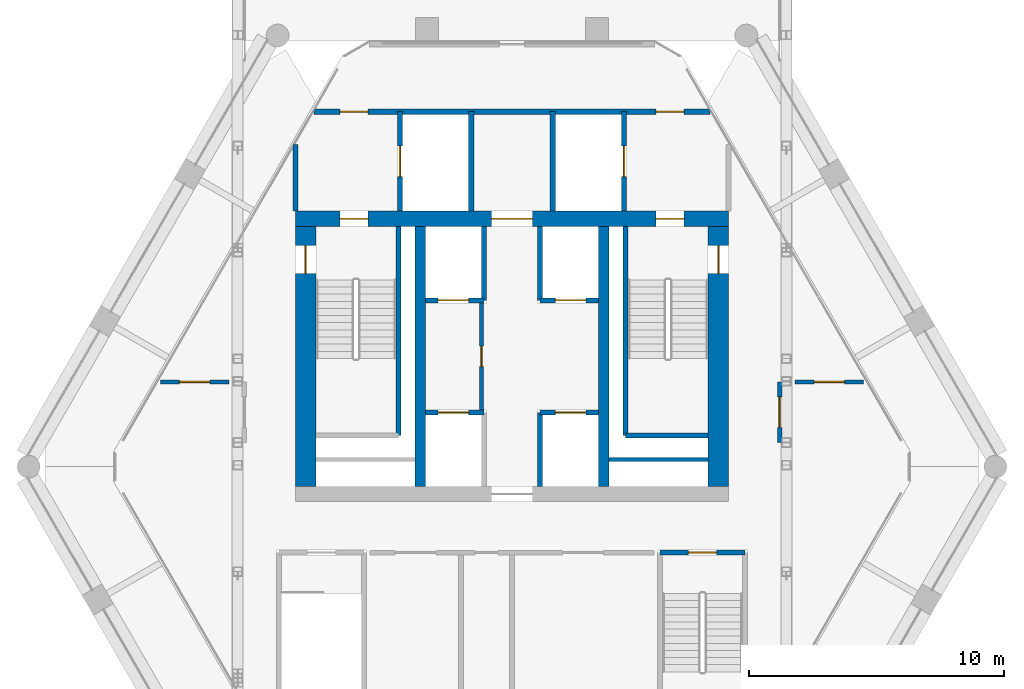
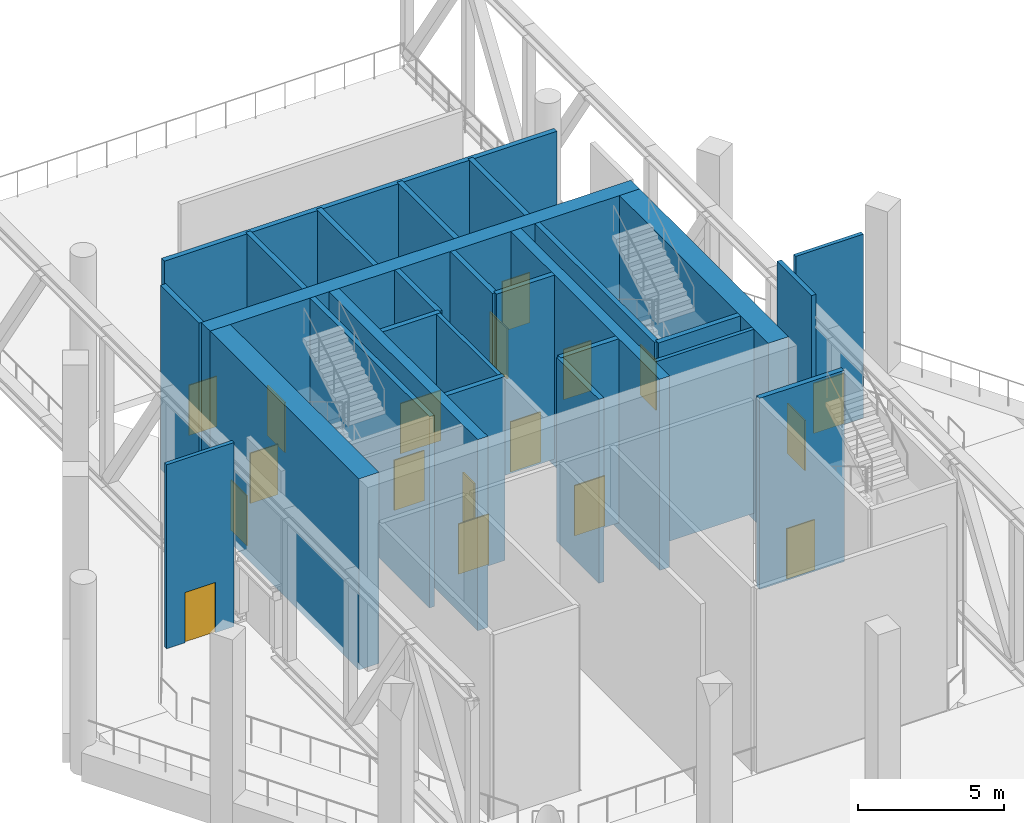
# One storey, part 6 of 14: 27 walls, 18 doors, 18 openings.
"""IFC4 building model written with IfcOpenShell, lengths in metres."""

from ifc_helpers import new_model, si_unit, direction, frame, frame_2d, origin, place, context, subcontext, project, spatial, rectangle, extrude, material, layer, layer_set, type_object, element, fill, save


model = new_model("IFC4")

# Units and contexts
model_context = context("Model", 3, precision=1e-05, world=origin(), true_north=direction((0.0, 1.0)))
body_context = subcontext(model_context, "Body", "Model", "MODEL_VIEW")
ifc_project = project(units=[si_unit("LENGTHUNIT", "METRE"), si_unit("AREAUNIT", "SQUARE_METRE"), si_unit("VOLUMEUNIT", "CUBIC_METRE"), si_unit("PLANEANGLEUNIT", "RADIAN"), si_unit("MASSUNIT", "GRAM", prefix="KILO")], contexts=[model_context])

# Site, building, storey
site_placement = place(None, origin())
site = spatial("IfcSite", under=ifc_project, at=site_placement, CompositionType="ELEMENT")
building_placement = place(site_placement, origin())
building = spatial("IfcBuilding", under=site, at=building_placement, Name="Ostrander Bayou Hotel Tower", CompositionType="ELEMENT")
storey_placement = place(building_placement, frame((0.0, 0.0, 237.0)))
storey = spatial("IfcBuildingStorey", under=building, at=storey_placement, Name="L59", CompositionType="ELEMENT", Elevation=237.0)

# Wall, openings, doors
ifc_material_1 = material(Name="Concrete f'c 60 MPa", Category="concrete")
ifc_layer_1 = layer(ifc_material_1, 0.60009765625)
ifc_layer_set_1 = layer_set([ifc_layer_1], Name="CW10 core wall 600 mm f'c 60 MPa")
wall_type_1 = type_object("IfcWallType", Name="CW10 core wall 600 mm f'c 60 MPa", PredefinedType="SHEAR", material=ifc_layer_set_1)
wall_1_placement = place(storey_placement, frame((-8.5, 9.39990234375, -0.300048828125), z_axis=(0.0, 0.0, 1.0), x_axis=(1.0, 0.0, 0.0)))
wall_1 = element("IfcWall", 1, at=wall_1_placement, inside=storey, type_object=wall_type_1, Name="CW10 L59 N", PredefinedType="SHEAR", context=body_context, shape_type="SweptSolid", body=[
    extrude(rectangle(XDim=17.0, YDim=0.60009765625, at=frame_2d((8.5, 0.0))), origin(), (0.0, 0.0, 1.0), 8.0),
])
opening_1_placement = place(wall_1_placement, frame((7.699951171875, 0.0, 0.0)))
opening_1 = element("IfcOpeningElement", 2, at=opening_1_placement, cuts=wall_1, Name="Opening T59-006", PredefinedType="OPENING", context=body_context, shape_type="SweptSolid", body=[
    extrude(rectangle(XDim=1.60009765625, YDim=2.10009765625, at=frame_2d((0.800048828125, 1.050048828125))), frame((0.0, 0.300048828125, 0.0), z_axis=(0.0, -1.0, 0.0), x_axis=(1.0, 0.0, 0.0)), (0.0, 0.0, 1.0), 0.60009765625),
])
opening_2_placement = place(wall_1_placement, frame((1.75, 0.0, 0.0)))
opening_2 = element("IfcOpeningElement", 3, at=opening_2_placement, cuts=wall_1, Name="Opening T59-007", PredefinedType="OPENING", context=body_context, shape_type="SweptSolid", body=[
    extrude(rectangle(XDim=1.10009765625, YDim=2.10009765625, at=frame_2d((0.550048828125, 1.050048828125))), frame((0.0, 0.300048828125, 0.0), z_axis=(0.0, -1.0, 0.0), x_axis=(1.0, 0.0, 0.0)), (0.0, 0.0, 1.0), 0.60009765625),
])
opening_3_placement = place(wall_1_placement, frame((14.14990234375, 0.0, 0.0)))
opening_3 = element("IfcOpeningElement", 4, at=opening_3_placement, cuts=wall_1, Name="Opening T59-009", PredefinedType="OPENING", context=body_context, shape_type="SweptSolid", body=[
    extrude(rectangle(XDim=1.10009765625, YDim=2.10009765625, at=frame_2d((0.550048828125, 1.050048828125))), frame((0.0, 0.300048828125, 0.0), z_axis=(0.0, -1.0, 0.0), x_axis=(1.0, 0.0, 0.0)), (0.0, 0.0, 1.0), 0.60009765625),
])
ifc_material_2 = material(Name="Timber door leaf", Category="wood")
door_type_1 = type_object("IfcDoorType", Name="D13 double door 1600 x 2100 mm, 1 hour", OperationType="SINGLE_SWING_LEFT", PredefinedType="DOOR", material=ifc_material_2)
door_1_placement = place(opening_1_placement, origin())
door_1 = element("IfcDoor", 5, at=door_1_placement, inside=storey, type_object=door_type_1, Name="dr:L59:006", OperationType="DOUBLE_DOOR_SINGLE_SWING", OverallHeight=2.10009765625, OverallWidth=1.60009765625, PredefinedType="DOOR", context=body_context, shape_type="SweptSolid", body=[
    extrude(rectangle(XDim=1.60009765625, YDim=2.10009765625, at=frame_2d((0.800048828125, 1.050048828125))), frame((0.0, 0.02490234375, 0.0), z_axis=(0.0, -1.0, 0.0), x_axis=(1.0, 0.0, 0.0)), (0.0, 0.0, 1.0), 0.050048828125),
])
fill(opening_1, door_1)
ifc_material_3 = material(Name="Timber door leaf", Category="wood")
door_type_2 = type_object("IfcDoorType", Name="D5 stair door 1100 x 2100 mm, 90 minute", OperationType="SINGLE_SWING_LEFT", PredefinedType="DOOR", material=ifc_material_3)
door_2_placement = place(opening_2_placement, origin())
door_2 = element("IfcDoor", 6, at=door_2_placement, inside=storey, type_object=door_type_2, Name="dr:L59:007", OperationType="SINGLE_SWING_LEFT", OverallHeight=2.10009765625, OverallWidth=1.10009765625, PredefinedType="DOOR", context=body_context, shape_type="SweptSolid", body=[
    extrude(rectangle(XDim=1.10009765625, YDim=2.10009765625, at=frame_2d((0.550048828125, 1.050048828125))), frame((0.0, 0.02490234375, 0.0), z_axis=(0.0, -1.0, 0.0), x_axis=(1.0, 0.0, 0.0)), (0.0, 0.0, 1.0), 0.050048828125),
])
fill(opening_2, door_2)
door_3_placement = place(opening_3_placement, origin())
door_3 = element("IfcDoor", 7, at=door_3_placement, inside=storey, type_object=door_type_2, Name="dr:L59:009", OperationType="SINGLE_SWING_RIGHT", OverallHeight=2.10009765625, OverallWidth=1.10009765625, PredefinedType="DOOR", context=body_context, shape_type="SweptSolid", body=[
    extrude(rectangle(XDim=1.10009765625, YDim=2.10009765625, at=frame_2d((0.550048828125, 1.050048828125))), frame((0.0, 0.02490234375, 0.0), z_axis=(0.0, -1.0, 0.0), x_axis=(1.0, 0.0, 0.0)), (0.0, 0.0, 1.0), 0.050048828125),
])
fill(opening_3, door_3)

# Wall, opening, door
ifc_material_4 = material(Name="Concrete f'c 60 MPa", Category="concrete")
ifc_layer_2 = layer(ifc_material_4, 0.800048828125)
ifc_layer_set_2 = layer_set([ifc_layer_2], Name="CW11 core spine wall 800 mm f'c 60 MPa")
wall_type_2 = type_object("IfcWallType", Name="CW11 core spine wall 800 mm f'c 60 MPa", PredefinedType="SHEAR", material=ifc_layer_set_2)
wall_2_placement = place(storey_placement, frame((-8.10009765625, -1.10009765625, -0.300048828125), z_axis=(0.0, 0.0, 1.0), x_axis=(0.0, 1.0, 0.0)))
wall_2 = element("IfcWall", 8, at=wall_2_placement, inside=storey, type_object=wall_type_2, Name="CW11 L59 W", PredefinedType="SHEAR", context=body_context, shape_type="SweptSolid", body=[
    extrude(rectangle(XDim=10.2001953125, YDim=0.800048828125, at=frame_2d((5.10009765625, 0.0))), origin(), (0.0, 0.0, 1.0), 8.0),
])
opening_4_placement = place(wall_2_placement, frame((8.35009765625, 0.0, 0.0)))
opening_4 = element("IfcOpeningElement", 9, at=opening_4_placement, cuts=wall_2, Name="Opening T59-008", PredefinedType="OPENING", context=body_context, shape_type="SweptSolid", body=[
    extrude(rectangle(XDim=1.10009765625, YDim=2.10009765625, at=frame_2d((0.550048828125, 1.050048828125))), frame((0.0, 0.39990234375, 0.0), z_axis=(0.0, -1.0, 0.0), x_axis=(1.0, 0.0, 0.0)), (0.0, 0.0, 1.0), 0.800048828125),
])
door_4_placement = place(opening_4_placement, origin())
door_4 = element("IfcDoor", 10, at=door_4_placement, inside=storey, type_object=door_type_2, Name="dr:L59:008", OperationType="SINGLE_SWING_RIGHT", OverallHeight=2.10009765625, OverallWidth=1.10009765625, PredefinedType="DOOR", context=body_context, shape_type="SweptSolid", body=[
    extrude(rectangle(XDim=1.10009765625, YDim=2.10009765625, at=frame_2d((0.550048828125, 1.050048828125))), frame((0.0, 0.02490234375, 0.0), z_axis=(0.0, -1.0, 0.0), x_axis=(1.0, 0.0, 0.0)), (0.0, 0.0, 1.0), 0.050048828125),
])
fill(opening_4, door_4)

wall_3_placement = place(storey_placement, frame((8.10009765625, -1.10009765625, -0.300048828125), z_axis=(0.0, 0.0, 1.0), x_axis=(0.0, 1.0, 0.0)))
wall_3 = element("IfcWall", 11, at=wall_3_placement, inside=storey, type_object=wall_type_2, Name="CW11 L59 E", PredefinedType="SHEAR", context=body_context, shape_type="SweptSolid", body=[
    extrude(rectangle(XDim=10.2001953125, YDim=0.800048828125, at=frame_2d((5.10009765625, 0.0))), origin(), (0.0, 0.0, 1.0), 8.0),
])
opening_5_placement = place(wall_3_placement, frame((8.35009765625, 0.0, 0.0)))
opening_5 = element("IfcOpeningElement", 12, at=opening_5_placement, cuts=wall_3, Name="Opening T59-010", PredefinedType="OPENING", context=body_context, shape_type="SweptSolid", body=[
    extrude(rectangle(XDim=1.10009765625, YDim=2.10009765625, at=frame_2d((0.550048828125, 1.050048828125))), frame((0.0, 0.39990234375, 0.0), z_axis=(0.0, -1.0, 0.0), x_axis=(1.0, 0.0, 0.0)), (0.0, 0.0, 1.0), 0.800048828125),
])
door_5_placement = place(opening_5_placement, origin())
door_5 = element("IfcDoor", 13, at=door_5_placement, inside=storey, type_object=door_type_2, Name="dr:L59:010", OperationType="SINGLE_SWING_LEFT", OverallHeight=2.10009765625, OverallWidth=1.10009765625, PredefinedType="DOOR", context=body_context, shape_type="SweptSolid", body=[
    extrude(rectangle(XDim=1.10009765625, YDim=2.10009765625, at=frame_2d((0.550048828125, 1.050048828125))), frame((0.0, 0.02490234375, 0.0), z_axis=(0.0, -1.0, 0.0), x_axis=(1.0, 0.0, 0.0)), (0.0, 0.0, 1.0), 0.050048828125),
])
fill(opening_5, door_5)

# Walls
ifc_material_5 = material(Name="Concrete f'c 60 MPa", Category="concrete")
ifc_layer_3 = layer(ifc_material_5, 0.39990234375)
ifc_layer_set_3 = layer_set([ifc_layer_3], Name="CW12 core bank wall 400 mm f'c 60 MPa")
wall_type_3 = type_object("IfcWallType", Name="CW12 core bank wall 400 mm f'c 60 MPa", PredefinedType="SHEAR", material=ifc_layer_set_3)
for number, where, z_axis, x_axis, name in (
    (14, (-3.60009765625, -1.10009765625, -0.300048828125), (0.0, 0.0, 1.0), (0.0, 1.0, 0.0), "CW12 L59 CW"),
    (15, (3.60009765625, -1.10009765625, -0.300048828125), (0.0, 0.0, 1.0), (0.0, 1.0, 0.0), "CW12 L59 CE"),
):
    element("IfcWall", number, at=place(storey_placement, frame(where, z_axis=z_axis, x_axis=x_axis)), inside=storey, type_object=wall_type_3, Name=name, PredefinedType="SHEAR", context=body_context, shape_type="SweptSolid", body=[
        extrude(rectangle(XDim=10.2001953125, YDim=0.39990234375, at=frame_2d((5.10009765625, 0.0))), origin(), (0.0, 0.0, 1.0), 8.0),
    ])

# Wall, opening, door
ifc_material_6 = material(Name="Gypsum board partition", Category="finish")
ifc_layer_4 = layer(ifc_material_6, 0.175048828125)
ifc_layer_set_4 = layer_set([ifc_layer_4], Name="PT4 corridor wall 175 mm, 1 hour")
wall_type_4 = type_object("IfcWallType", Name="PT4 corridor wall 175 mm, 1 hour", PredefinedType="PARTITIONING", material=ifc_layer_set_4)
wall_4_placement = place(storey_placement, frame((10.5, 0.621337890625, 0.0), z_axis=(0.0, 0.0, 1.0), x_axis=(0.0, 1.0, 0.0)))
wall_4 = element("IfcWall", 16, at=wall_4_placement, inside=storey, type_object=wall_type_4, Name="sw:L59:003", PredefinedType="PARTITIONING", context=body_context, shape_type="SweptSolid", body=[
    extrude(rectangle(XDim=2.378662109375, YDim=0.175048828125, at=frame_2d((1.189453125, 0.0))), origin(), (0.0, 0.0, 1.0), 7.699951171875),
])
opening_6_placement = place(wall_4_placement, frame((0.58935546875, 0.0, 0.0)))
opening_6 = element("IfcOpeningElement", 17, at=opening_6_placement, cuts=wall_4, Name="Opening T59-205", PredefinedType="OPENING", context=body_context, shape_type="SweptSolid", body=[
    extrude(rectangle(XDim=1.199951171875, YDim=2.10009765625, at=frame_2d((0.60009765625, 1.050048828125))), frame((0.0, 0.08740234375, 0.0), z_axis=(0.0, -1.0, 0.0), x_axis=(1.0, 0.0, 0.0)), (0.0, 0.0, 1.0), 0.175048828125),
])
ifc_material_7 = material(Name="Timber door leaf", Category="wood")
door_type_3 = type_object("IfcDoorType", Name="D10 plant room door 1200 x 2100 mm, 1 hour", OperationType="SINGLE_SWING_LEFT", PredefinedType="DOOR", material=ifc_material_7)
door_6_placement = place(opening_6_placement, origin())
door_6 = element("IfcDoor", 18, at=door_6_placement, inside=storey, type_object=door_type_3, Name="dr:L59:205", OperationType="SINGLE_SWING_LEFT", OverallHeight=2.10009765625, OverallWidth=1.199951171875, PredefinedType="DOOR", context=body_context, shape_type="SweptSolid", body=[
    extrude(rectangle(XDim=1.199951171875, YDim=2.10009765625, at=frame_2d((0.60009765625, 1.050048828125))), frame((0.0, 0.02490234375, 0.0), z_axis=(0.0, -1.0, 0.0), x_axis=(1.0, 0.0, 0.0)), (0.0, 0.0, 1.0), 0.050048828125),
])
fill(opening_6, door_6)

# Wall, openings, doors
ifc_material_8 = material(Name="Masonry block", Category="masonry")
ifc_layer_5 = layer(ifc_material_8, 0.199951171875)
ifc_layer_set_5 = layer_set([ifc_layer_5], Name="PT5 stair enclosure wall 200 mm masonry, 2 hour")
wall_type_5 = type_object("IfcWallType", Name="PT5 stair enclosure wall 200 mm masonry, 2 hour", PredefinedType="PARTITIONING", material=ifc_layer_set_5)
wall_5_placement = place(storey_placement, frame((-7.7626953125, 13.60009765625, 0.0), z_axis=(0.0, 0.0, 1.0), x_axis=(1.0, 0.0, 0.0)))
wall_5 = element("IfcWall", 19, at=wall_5_placement, inside=storey, type_object=wall_type_5, Name="cs:L59:023", PredefinedType="PARTITIONING", context=body_context, shape_type="SweptSolid", body=[
    extrude(rectangle(XDim=15.525390625, YDim=0.199951171875, at=frame_2d((7.7626953125, 0.0))), origin(), (0.0, 0.0, 1.0), 7.699951171875),
])
opening_7_placement = place(wall_5_placement, frame((1.0126953125, 0.0, 0.0)))
opening_7 = element("IfcOpeningElement", 20, at=opening_7_placement, cuts=wall_5, Name="Opening T59-209", PredefinedType="OPENING", context=body_context, shape_type="SweptSolid", body=[
    extrude(rectangle(XDim=1.10009765625, YDim=2.10009765625, at=frame_2d((0.550048828125, 1.050048828125))), frame((0.0, 0.10009765625, 0.0), z_axis=(0.0, -1.0, 0.0), x_axis=(1.0, 0.0, 0.0)), (0.0, 0.0, 1.0), 0.199951171875),
])
opening_8_placement = place(wall_5_placement, frame((13.41259765625, 0.0, 0.0)))
opening_8 = element("IfcOpeningElement", 21, at=opening_8_placement, cuts=wall_5, Name="Opening T59-210", PredefinedType="OPENING", context=body_context, shape_type="SweptSolid", body=[
    extrude(rectangle(XDim=1.10009765625, YDim=2.10009765625, at=frame_2d((0.550048828125, 1.050048828125))), frame((0.0, 0.10009765625, 0.0), z_axis=(0.0, -1.0, 0.0), x_axis=(1.0, 0.0, 0.0)), (0.0, 0.0, 1.0), 0.199951171875),
])
door_7_placement = place(opening_7_placement, origin())
door_7 = element("IfcDoor", 22, at=door_7_placement, inside=storey, type_object=door_type_2, Name="dr:L59:209", OperationType="SINGLE_SWING_LEFT", OverallHeight=2.10009765625, OverallWidth=1.10009765625, PredefinedType="DOOR", context=body_context, shape_type="SweptSolid", body=[
    extrude(rectangle(XDim=1.10009765625, YDim=2.10009765625, at=frame_2d((0.550048828125, 1.050048828125))), frame((0.0, 0.02490234375, 0.0), z_axis=(0.0, -1.0, 0.0), x_axis=(1.0, 0.0, 0.0)), (0.0, 0.0, 1.0), 0.050048828125),
])
fill(opening_7, door_7)
door_8_placement = place(opening_8_placement, origin())
door_8 = element("IfcDoor", 23, at=door_8_placement, inside=storey, type_object=door_type_2, Name="dr:L59:210", OperationType="SINGLE_SWING_RIGHT", OverallHeight=2.10009765625, OverallWidth=1.10009765625, PredefinedType="DOOR", context=body_context, shape_type="SweptSolid", body=[
    extrude(rectangle(XDim=1.10009765625, YDim=2.10009765625, at=frame_2d((0.550048828125, 1.050048828125))), frame((0.0, 0.02490234375, 0.0), z_axis=(0.0, -1.0, 0.0), x_axis=(1.0, 0.0, 0.0)), (0.0, 0.0, 1.0), 0.050048828125),
])
fill(opening_8, door_8)

# Wall
wall_6_placement = place(storey_placement, frame((-8.5, 9.699951171875, 0.0), z_axis=(0.0, 0.0, 1.0), x_axis=(0.0, 1.0, 0.0)))
element("IfcWall", 24, at=wall_6_placement, inside=storey, type_object=wall_type_5, Name="cs:L59:024", PredefinedType="PARTITIONING", context=body_context, shape_type="SweptSolid", body=[
    extrude(rectangle(XDim=2.623046875, YDim=0.199951171875, at=frame_2d((1.3115234375, 0.0))), origin(), (0.0, 0.0, 1.0), 7.699951171875),
])

# Wall, opening, door
wall_7_placement = place(storey_placement, frame((-4.39990234375, 9.699951171875, 0.0), z_axis=(0.0, 0.0, 1.0), x_axis=(0.0, 1.0, 0.0)))
wall_7 = element("IfcWall", 25, at=wall_7_placement, inside=storey, type_object=wall_type_5, Name="cs:L59:026", PredefinedType="PARTITIONING", context=body_context, shape_type="SweptSolid", body=[
    extrude(rectangle(XDim=3.900146484375, YDim=0.199951171875, at=frame_2d((1.9501953125, 0.0))), origin(), (0.0, 0.0, 1.0), 7.699951171875),
])
opening_9_placement = place(wall_7_placement, frame((1.35009765625, 0.0, 0.0)))
opening_9 = element("IfcOpeningElement", 26, at=opening_9_placement, cuts=wall_7, Name="Opening T59-013", PredefinedType="OPENING", context=body_context, shape_type="SweptSolid", body=[
    extrude(rectangle(XDim=1.199951171875, YDim=2.10009765625, at=frame_2d((0.60009765625, 1.050048828125))), frame((0.0, 0.10009765625, 0.0), z_axis=(0.0, -1.0, 0.0), x_axis=(1.0, 0.0, 0.0)), (0.0, 0.0, 1.0), 0.199951171875),
])
ifc_material_9 = material(Name="Stainless steel sliding door", Category="steel")
door_type_4 = type_object("IfcDoorType", Name="LD1 lift landing door 1200 x 2100 mm", OperationType="SINGLE_SWING_LEFT", PredefinedType="DOOR", material=ifc_material_9)
door_9_placement = place(opening_9_placement, origin())
door_9 = element("IfcDoor", 27, at=door_9_placement, inside=storey, type_object=door_type_4, Name="dr:L59:013", OperationType="SLIDING_TO_LEFT", OverallHeight=2.10009765625, OverallWidth=1.199951171875, PredefinedType="DOOR", context=body_context, shape_type="SweptSolid", body=[
    extrude(rectangle(XDim=1.199951171875, YDim=2.10009765625, at=frame_2d((0.60009765625, 1.050048828125))), frame((0.0, 0.02490234375, 0.0), z_axis=(0.0, -1.0, 0.0), x_axis=(1.0, 0.0, 0.0)), (0.0, 0.0, 1.0), 0.050048828125),
])
fill(opening_9, door_9)

wall_8_placement = place(storey_placement, frame((4.39990234375, 9.699951171875, 0.0), z_axis=(0.0, 0.0, 1.0), x_axis=(0.0, 1.0, 0.0)))
wall_8 = element("IfcWall", 28, at=wall_8_placement, inside=storey, type_object=wall_type_5, Name="cs:L59:027", PredefinedType="PARTITIONING", context=body_context, shape_type="SweptSolid", body=[
    extrude(rectangle(XDim=3.900146484375, YDim=0.199951171875, at=frame_2d((1.9501953125, 0.0))), origin(), (0.0, 0.0, 1.0), 7.699951171875),
])
opening_10_placement = place(wall_8_placement, frame((1.35009765625, 0.0, 0.0)))
opening_10 = element("IfcOpeningElement", 29, at=opening_10_placement, cuts=wall_8, Name="Opening T59-014", PredefinedType="OPENING", context=body_context, shape_type="SweptSolid", body=[
    extrude(rectangle(XDim=1.199951171875, YDim=2.10009765625, at=frame_2d((0.60009765625, 1.050048828125))), frame((0.0, 0.10009765625, 0.0), z_axis=(0.0, -1.0, 0.0), x_axis=(1.0, 0.0, 0.0)), (0.0, 0.0, 1.0), 0.199951171875),
])
door_10_placement = place(opening_10_placement, origin())
door_10 = element("IfcDoor", 30, at=door_10_placement, inside=storey, type_object=door_type_4, Name="dr:L59:014", OperationType="SLIDING_TO_LEFT", OverallHeight=2.10009765625, OverallWidth=1.199951171875, PredefinedType="DOOR", context=body_context, shape_type="SweptSolid", body=[
    extrude(rectangle(XDim=1.199951171875, YDim=2.10009765625, at=frame_2d((0.60009765625, 1.050048828125))), frame((0.0, 0.02490234375, 0.0), z_axis=(0.0, -1.0, 0.0), x_axis=(1.0, 0.0, 0.0)), (0.0, 0.0, 1.0), 0.050048828125),
])
fill(opening_10, door_10)

ifc_material_10 = material(Name="Masonry block", Category="masonry")
ifc_layer_6 = layer(ifc_material_10, 0.199951171875)
ifc_layer_set_6 = layer_set([ifc_layer_6], Name="PT6 lift shaft wall 200 mm masonry, 2 hour")
wall_type_6 = type_object("IfcWallType", Name="PT6 lift shaft wall 200 mm masonry, 2 hour", PredefinedType="PARTITIONING", material=ifc_layer_set_6)
wall_9_placement = place(storey_placement, frame((-3.39990234375, 1.800048828125, 0.0), z_axis=(0.0, 0.0, 1.0), x_axis=(1.0, 0.0, 0.0)))
wall_9 = element("IfcWall", 31, at=wall_9_placement, inside=storey, type_object=wall_type_6, Name="cs:L59:001", PredefinedType="PARTITIONING", context=body_context, shape_type="SweptSolid", body=[
    extrude(rectangle(XDim=2.2998046875, YDim=0.199951171875, at=frame_2d((1.14990234375, 0.0))), origin(), (0.0, 0.0, 1.0), 7.699951171875),
])
opening_11_placement = place(wall_9_placement, frame((0.5, 0.0, 0.0)))
opening_11 = element("IfcOpeningElement", 32, at=opening_11_placement, cuts=wall_9, Name="Opening T59-001", PredefinedType="OPENING", context=body_context, shape_type="SweptSolid", body=[
    extrude(rectangle(XDim=1.199951171875, YDim=2.10009765625, at=frame_2d((0.60009765625, 1.050048828125))), frame((0.0, 0.10009765625, 0.0), z_axis=(0.0, -1.0, 0.0), x_axis=(1.0, 0.0, 0.0)), (0.0, 0.0, 1.0), 0.199951171875),
])
door_11_placement = place(opening_11_placement, origin())
door_11 = element("IfcDoor", 33, at=door_11_placement, inside=storey, type_object=door_type_4, Name="dr:L59:001", OperationType="SLIDING_TO_LEFT", OverallHeight=2.10009765625, OverallWidth=1.199951171875, PredefinedType="DOOR", context=body_context, shape_type="SweptSolid", body=[
    extrude(rectangle(XDim=1.199951171875, YDim=2.10009765625, at=frame_2d((0.60009765625, 1.050048828125))), frame((0.0, 0.02490234375, 0.0), z_axis=(0.0, -1.0, 0.0), x_axis=(1.0, 0.0, 0.0)), (0.0, 0.0, 1.0), 0.050048828125),
])
fill(opening_11, door_11)

wall_10_placement = place(storey_placement, frame((-3.39990234375, 6.199951171875, 0.0), z_axis=(0.0, 0.0, 1.0), x_axis=(1.0, 0.0, 0.0)))
wall_10 = element("IfcWall", 34, at=wall_10_placement, inside=storey, type_object=wall_type_6, Name="cs:L59:002", PredefinedType="PARTITIONING", context=body_context, shape_type="SweptSolid", body=[
    extrude(rectangle(XDim=2.2998046875, YDim=0.199951171875, at=frame_2d((1.14990234375, 0.0))), origin(), (0.0, 0.0, 1.0), 7.699951171875),
])
opening_12_placement = place(wall_10_placement, frame((0.5, 0.0, 0.0)))
opening_12 = element("IfcOpeningElement", 35, at=opening_12_placement, cuts=wall_10, Name="Opening T59-003", PredefinedType="OPENING", context=body_context, shape_type="SweptSolid", body=[
    extrude(rectangle(XDim=1.199951171875, YDim=2.10009765625, at=frame_2d((0.60009765625, 1.050048828125))), frame((0.0, 0.10009765625, 0.0), z_axis=(0.0, -1.0, 0.0), x_axis=(1.0, 0.0, 0.0)), (0.0, 0.0, 1.0), 0.199951171875),
])
door_12_placement = place(opening_12_placement, origin())
door_12 = element("IfcDoor", 36, at=door_12_placement, inside=storey, type_object=door_type_4, Name="dr:L59:003", OperationType="SLIDING_TO_LEFT", OverallHeight=2.10009765625, OverallWidth=1.199951171875, PredefinedType="DOOR", context=body_context, shape_type="SweptSolid", body=[
    extrude(rectangle(XDim=1.199951171875, YDim=2.10009765625, at=frame_2d((0.60009765625, 1.050048828125))), frame((0.0, 0.02490234375, 0.0), z_axis=(0.0, -1.0, 0.0), x_axis=(1.0, 0.0, 0.0)), (0.0, 0.0, 1.0), 0.050048828125),
])
fill(opening_12, door_12)

wall_11_placement = place(storey_placement, frame((1.10009765625, 1.800048828125, 0.0), z_axis=(0.0, 0.0, 1.0), x_axis=(1.0, 0.0, 0.0)))
wall_11 = element("IfcWall", 37, at=wall_11_placement, inside=storey, type_object=wall_type_6, Name="cs:L59:003", PredefinedType="PARTITIONING", context=body_context, shape_type="SweptSolid", body=[
    extrude(rectangle(XDim=2.2998046875, YDim=0.199951171875, at=frame_2d((1.14990234375, 0.0))), origin(), (0.0, 0.0, 1.0), 7.699951171875),
])
opening_13_placement = place(wall_11_placement, frame((0.60009765625, 0.0, 0.0)))
opening_13 = element("IfcOpeningElement", 38, at=opening_13_placement, cuts=wall_11, Name="Opening T59-002", PredefinedType="OPENING", context=body_context, shape_type="SweptSolid", body=[
    extrude(rectangle(XDim=1.199951171875, YDim=2.10009765625, at=frame_2d((0.60009765625, 1.050048828125))), frame((0.0, 0.10009765625, 0.0), z_axis=(0.0, -1.0, 0.0), x_axis=(1.0, 0.0, 0.0)), (0.0, 0.0, 1.0), 0.199951171875),
])
door_13_placement = place(opening_13_placement, origin())
door_13 = element("IfcDoor", 39, at=door_13_placement, inside=storey, type_object=door_type_4, Name="dr:L59:002", OperationType="SLIDING_TO_LEFT", OverallHeight=2.10009765625, OverallWidth=1.199951171875, PredefinedType="DOOR", context=body_context, shape_type="SweptSolid", body=[
    extrude(rectangle(XDim=1.199951171875, YDim=2.10009765625, at=frame_2d((0.60009765625, 1.050048828125))), frame((0.0, 0.02490234375, 0.0), z_axis=(0.0, -1.0, 0.0), x_axis=(1.0, 0.0, 0.0)), (0.0, 0.0, 1.0), 0.050048828125),
])
fill(opening_13, door_13)

wall_12_placement = place(storey_placement, frame((1.10009765625, 6.199951171875, 0.0), z_axis=(0.0, 0.0, 1.0), x_axis=(1.0, 0.0, 0.0)))
wall_12 = element("IfcWall", 40, at=wall_12_placement, inside=storey, type_object=wall_type_6, Name="cs:L59:004", PredefinedType="PARTITIONING", context=body_context, shape_type="SweptSolid", body=[
    extrude(rectangle(XDim=2.2998046875, YDim=0.199951171875, at=frame_2d((1.14990234375, 0.0))), origin(), (0.0, 0.0, 1.0), 7.699951171875),
])
opening_14_placement = place(wall_12_placement, frame((0.60009765625, 0.0, 0.0)))
opening_14 = element("IfcOpeningElement", 41, at=opening_14_placement, cuts=wall_12, Name="Opening T59-004", PredefinedType="OPENING", context=body_context, shape_type="SweptSolid", body=[
    extrude(rectangle(XDim=1.199951171875, YDim=2.10009765625, at=frame_2d((0.60009765625, 1.050048828125))), frame((0.0, 0.10009765625, 0.0), z_axis=(0.0, -1.0, 0.0), x_axis=(1.0, 0.0, 0.0)), (0.0, 0.0, 1.0), 0.199951171875),
])
door_14_placement = place(opening_14_placement, origin())
door_14 = element("IfcDoor", 42, at=door_14_placement, inside=storey, type_object=door_type_4, Name="dr:L59:004", OperationType="SLIDING_TO_LEFT", OverallHeight=2.10009765625, OverallWidth=1.199951171875, PredefinedType="DOOR", context=body_context, shape_type="SweptSolid", body=[
    extrude(rectangle(XDim=1.199951171875, YDim=2.10009765625, at=frame_2d((0.60009765625, 1.050048828125))), frame((0.0, 0.02490234375, 0.0), z_axis=(0.0, -1.0, 0.0), x_axis=(1.0, 0.0, 0.0)), (0.0, 0.0, 1.0), 0.050048828125),
])
fill(opening_14, door_14)

# Walls
for number, where, z_axis, x_axis, name in (
    (43, (1.10009765625, -1.10009765625, 0.0), (0.0, 0.0, 1.0), (0.0, 1.0, 0.0), "cs:L59:006"),
    (44, (-1.10009765625, 6.199951171875, 0.0), (0.0, 0.0, 1.0), (0.0, 1.0, 0.0), "cs:L59:007"),
    (45, (1.10009765625, 6.199951171875, 0.0), (0.0, 0.0, 1.0), (0.0, 1.0, 0.0), "cs:L59:008"),
):
    element("IfcWall", number, at=place(storey_placement, frame(where, z_axis=z_axis, x_axis=x_axis)), inside=storey, type_object=wall_type_6, Name=name, PredefinedType="PARTITIONING", context=body_context, shape_type="SweptSolid", body=[
        extrude(rectangle(XDim=2.900146484375, YDim=0.199951171875, at=frame_2d((1.4501953125, 0.0))), origin(), (0.0, 0.0, 1.0), 7.699951171875),
    ])
for number, where, z_axis, x_axis, name in (
    (46, (-1.60009765625, 9.699951171875, 0.0), (0.0, 0.0, 1.0), (0.0, 1.0, 0.0), "cs:L59:028"),
    (47, (1.60009765625, 9.699951171875, 0.0), (0.0, 0.0, 1.0), (0.0, 1.0, 0.0), "cs:L59:029"),
):
    element("IfcWall", number, at=place(storey_placement, frame(where, z_axis=z_axis, x_axis=x_axis)), inside=storey, type_object=wall_type_6, Name=name, PredefinedType="PARTITIONING", context=body_context, shape_type="SweptSolid", body=[
        extrude(rectangle(XDim=3.900146484375, YDim=0.199951171875, at=frame_2d((1.9501953125, 0.0))), origin(), (0.0, 0.0, 1.0), 7.699951171875),
    ])
ifc_material_11 = material(Name="Gypsum board partition", Category="finish")
ifc_layer_7 = layer(ifc_material_11, 0.14990234375)
ifc_layer_set_7 = layer_set([ifc_layer_7], Name="PT7 riser wall 150 mm, 2 hour")
wall_type_7 = type_object("IfcWallType", Name="PT7 riser wall 150 mm, 2 hour", PredefinedType="PARTITIONING", material=ifc_layer_set_7)
wall_13_placement = place(storey_placement, frame((3.800048828125, -0.050048828125, 0.0), z_axis=(0.0, 0.0, 1.0), x_axis=(1.0, 0.0, 0.0)))
element("IfcWall", 48, at=wall_13_placement, inside=storey, type_object=wall_type_7, Name="cs:L59:014", PredefinedType="PARTITIONING", context=body_context, shape_type="SweptSolid", body=[
    extrude(rectangle(XDim=3.89990234375, YDim=0.14990234375, at=frame_2d((1.949951171875, 0.0))), origin(), (0.0, 0.0, 1.0), 7.699951171875),
])

# Wall, opening, door
wall_14_placement = place(storey_placement, frame((-1.199951171875, 1.89990234375, 0.0), z_axis=(0.0, 0.0, 1.0), x_axis=(0.0, 1.0, 0.0)))
wall_14 = element("IfcWall", 49, at=wall_14_placement, inside=storey, type_object=wall_type_7, Name="cs:L59:030", PredefinedType="PARTITIONING", context=body_context, shape_type="SweptSolid", body=[
    extrude(rectangle(XDim=4.2001953125, YDim=0.14990234375, at=frame_2d((2.10009765625, 0.0))), origin(), (0.0, 0.0, 1.0), 7.699951171875),
])
opening_15_placement = place(wall_14_placement, frame((1.699951171875, 0.0, 0.0)))
opening_15 = element("IfcOpeningElement", 50, at=opening_15_placement, cuts=wall_14, Name="Opening T59-015", PredefinedType="OPENING", context=body_context, shape_type="SweptSolid", body=[
    extrude(rectangle(XDim=0.800048828125, YDim=2.10009765625, at=frame_2d((0.39990234375, 1.050048828125))), frame((0.0, 0.074951171875, 0.0), z_axis=(0.0, -1.0, 0.0), x_axis=(1.0, 0.0, 0.0)), (0.0, 0.0, 1.0), 0.14990234375),
])
ifc_material_12 = material(Name="Timber door leaf", Category="wood")
door_type_5 = type_object("IfcDoorType", Name="D6 riser door 800 x 2100 mm, 90 minute", OperationType="SINGLE_SWING_LEFT", PredefinedType="DOOR", material=ifc_material_12)
door_15_placement = place(opening_15_placement, origin())
door_15 = element("IfcDoor", 51, at=door_15_placement, inside=storey, type_object=door_type_5, Name="dr:L59:015", OperationType="SINGLE_SWING_LEFT", OverallHeight=2.10009765625, OverallWidth=0.800048828125, PredefinedType="DOOR", context=body_context, shape_type="SweptSolid", body=[
    extrude(rectangle(XDim=0.800048828125, YDim=2.10009765625, at=frame_2d((0.39990234375, 1.050048828125))), frame((0.0, 0.02490234375, 0.0), z_axis=(0.0, -1.0, 0.0), x_axis=(1.0, 0.0, 0.0)), (0.0, 0.0, 1.0), 0.050048828125),
])
fill(opening_15, door_15)

wall_15_placement = place(storey_placement, frame((-13.790283203125, 3.0, 0.0), z_axis=(0.0, 0.0, 1.0), x_axis=(1.0, 0.0, 0.0)))
wall_15 = element("IfcWall", 52, at=wall_15_placement, inside=storey, type_object=wall_type_7, Name="sw:L59:006", PredefinedType="PARTITIONING", context=body_context, shape_type="SweptSolid", body=[
    extrude(rectangle(XDim=2.67626953125, YDim=0.14990234375, at=frame_2d((1.338134765625, 0.0))), origin(), (0.0, 0.0, 1.0), 7.699951171875),
])
opening_16_placement = place(wall_15_placement, frame((0.73828125, 0.0, 0.0)))
opening_16 = element("IfcOpeningElement", 53, at=opening_16_placement, cuts=wall_15, Name="Opening T59-204", PredefinedType="OPENING", context=body_context, shape_type="SweptSolid", body=[
    extrude(rectangle(XDim=1.199951171875, YDim=2.10009765625, at=frame_2d((0.60009765625, 1.050048828125))), frame((0.0, 0.074951171875, 0.0), z_axis=(0.0, -1.0, 0.0), x_axis=(1.0, 0.0, 0.0)), (0.0, 0.0, 1.0), 0.14990234375),
])
door_16_placement = place(opening_16_placement, origin())
door_16 = element("IfcDoor", 54, at=door_16_placement, inside=storey, type_object=door_type_3, Name="dr:L59:204", OperationType="SINGLE_SWING_RIGHT", OverallHeight=2.10009765625, OverallWidth=1.199951171875, PredefinedType="DOOR", context=body_context, shape_type="SweptSolid", body=[
    extrude(rectangle(XDim=1.199951171875, YDim=2.10009765625, at=frame_2d((0.60009765625, 1.050048828125))), frame((0.0, 0.02490234375, 0.0), z_axis=(0.0, -1.0, 0.0), x_axis=(1.0, 0.0, 0.0)), (0.0, 0.0, 1.0), 0.050048828125),
])
fill(opening_16, door_16)

wall_16_placement = place(storey_placement, frame((11.114013671875, 3.0, 0.0), z_axis=(0.0, 0.0, 1.0), x_axis=(1.0, 0.0, 0.0)))
wall_16 = element("IfcWall", 55, at=wall_16_placement, inside=storey, type_object=wall_type_7, Name="sw:L59:007", PredefinedType="PARTITIONING", context=body_context, shape_type="SweptSolid", body=[
    extrude(rectangle(XDim=2.67626953125, YDim=0.14990234375, at=frame_2d((1.338134765625, 0.0))), origin(), (0.0, 0.0, 1.0), 7.699951171875),
])
opening_17_placement = place(wall_16_placement, frame((0.73828125, 0.0, 0.0)))
opening_17 = element("IfcOpeningElement", 56, at=opening_17_placement, cuts=wall_16, Name="Opening T59-206", PredefinedType="OPENING", context=body_context, shape_type="SweptSolid", body=[
    extrude(rectangle(XDim=1.199951171875, YDim=2.10009765625, at=frame_2d((0.60009765625, 1.050048828125))), frame((0.0, 0.074951171875, 0.0), z_axis=(0.0, -1.0, 0.0), x_axis=(1.0, 0.0, 0.0)), (0.0, 0.0, 1.0), 0.14990234375),
])
door_17_placement = place(opening_17_placement, origin())
door_17 = element("IfcDoor", 57, at=door_17_placement, inside=storey, type_object=door_type_3, Name="dr:L59:206", OperationType="SINGLE_SWING_RIGHT", OverallHeight=2.10009765625, OverallWidth=1.199951171875, PredefinedType="DOOR", context=body_context, shape_type="SweptSolid", body=[
    extrude(rectangle(XDim=1.199951171875, YDim=2.10009765625, at=frame_2d((0.60009765625, 1.050048828125))), frame((0.0, 0.02490234375, 0.0), z_axis=(0.0, -1.0, 0.0), x_axis=(1.0, 0.0, 0.0)), (0.0, 0.0, 1.0), 0.050048828125),
])
fill(opening_17, door_17)

# Walls
ifc_material_13 = material(Name="Concrete f'c 45 MPa", Category="concrete")
ifc_layer_8 = layer(ifc_material_13, 0.199951171875)
ifc_layer_set_8 = layer_set([ifc_layer_8], Name="SW5 stair enclosure wall 200 mm f'c 45 MPa")
wall_type_8 = type_object("IfcWallType", Name="SW5 stair enclosure wall 200 mm f'c 45 MPa", PredefinedType="SOLIDWALL", material=ifc_layer_set_8)
for number, where, z_axis, x_axis, name in (
    (58, (-4.449951171875, 0.89990234375, -0.300048828125), (0.0, 0.0, 1.0), (0.0, 1.0, 0.0), "cs:L59:009"),
    (59, (4.449951171875, 0.89990234375, -0.300048828125), (0.0, 0.0, 1.0), (0.0, 1.0, 0.0), "cs:L59:012"),
):
    element("IfcWall", number, at=place(storey_placement, frame(where, z_axis=z_axis, x_axis=x_axis)), inside=storey, type_object=wall_type_8, Name=name, PredefinedType="SOLIDWALL", context=body_context, shape_type="SweptSolid", body=[
        extrude(rectangle(XDim=8.2001953125, YDim=0.199951171875, at=frame_2d((4.10009765625, 0.0))), origin(), (0.0, 0.0, 1.0), 8.0),
    ])
wall_17_placement = place(storey_placement, frame((4.449951171875, 0.89990234375, -0.300048828125), z_axis=(0.0, 0.0, 1.0), x_axis=(1.0, 0.0, 0.0)))
element("IfcWall", 60, at=wall_17_placement, inside=storey, type_object=wall_type_8, Name="cs:L59:013", PredefinedType="SOLIDWALL", context=body_context, shape_type="SweptSolid", body=[
    extrude(rectangle(XDim=3.25, YDim=0.199951171875, at=frame_2d((1.625, 0.0))), origin(), (0.0, 0.0, 1.0), 8.0),
])

# Wall, opening, door
wall_18_placement = place(storey_placement, frame((5.800048828125, -3.699951171875, -0.300048828125), z_axis=(0.0, 0.0, 1.0), x_axis=(1.0, 0.0, 0.0)))
wall_18 = element("IfcWall", 61, at=wall_18_placement, inside=storey, type_object=wall_type_8, Name="cs:L59:015", PredefinedType="SOLIDWALL", context=body_context, shape_type="SweptSolid", body=[
    extrude(rectangle(XDim=3.349853515625, YDim=0.199951171875, at=frame_2d((1.6748046875, 0.0))), origin(), (0.0, 0.0, 1.0), 8.0),
])
opening_18_placement = place(wall_18_placement, frame((1.125, 0.0, 0.0)))
opening_18 = element("IfcOpeningElement", 62, at=opening_18_placement, cuts=wall_18, Name="Opening T59-011", PredefinedType="OPENING", context=body_context, shape_type="SweptSolid", body=[
    extrude(rectangle(XDim=1.10009765625, YDim=2.10009765625, at=frame_2d((0.550048828125, 1.050048828125))), frame((0.0, 0.10009765625, 0.0), z_axis=(0.0, -1.0, 0.0), x_axis=(1.0, 0.0, 0.0)), (0.0, 0.0, 1.0), 0.199951171875),
])
door_18_placement = place(opening_18_placement, origin())
door_18 = element("IfcDoor", 63, at=door_18_placement, inside=storey, type_object=door_type_2, Name="dr:L59:011", OperationType="SINGLE_SWING_LEFT", OverallHeight=2.10009765625, OverallWidth=1.10009765625, PredefinedType="DOOR", context=body_context, shape_type="SweptSolid", body=[
    extrude(rectangle(XDim=1.10009765625, YDim=2.10009765625, at=frame_2d((0.550048828125, 1.050048828125))), frame((0.0, 0.02490234375, 0.0), z_axis=(0.0, -1.0, 0.0), x_axis=(1.0, 0.0, 0.0)), (0.0, 0.0, 1.0), 0.050048828125),
])
fill(opening_18, door_18)

save(model, "model.ifc")
